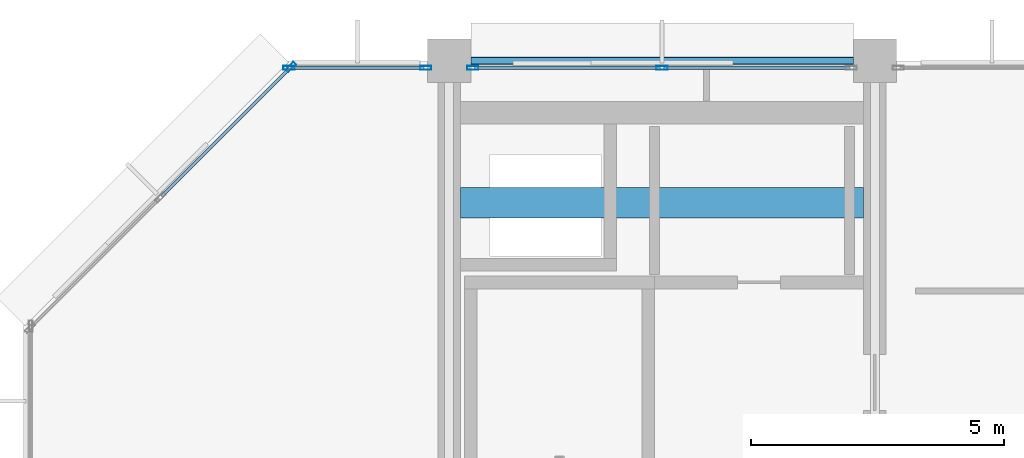
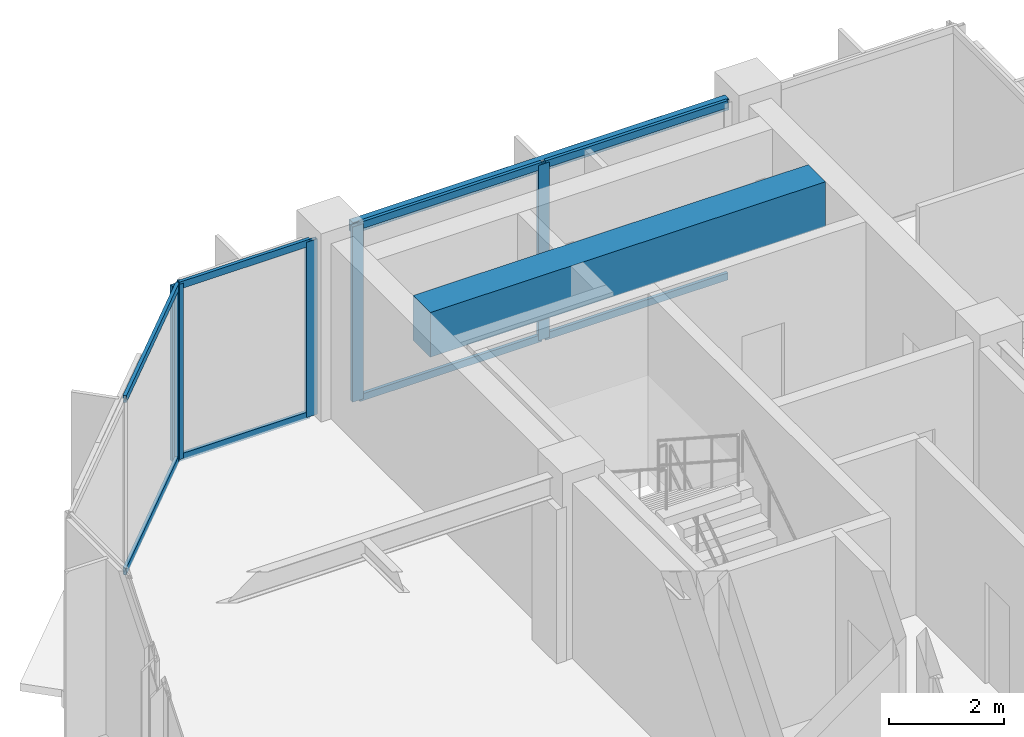
# One storey, part 14 of 23: 13 members, 2 beams, 3 elements without a shape of their own.
"""IFC4 building model written with IfcOpenShell, lengths in metres."""

from ifc_helpers import new_model, si_unit, direction, frame, origin, origin_2d, place, context, subcontext, project, spatial, rectangle, hollow_rectangle, extrude, material, layer, layer_set, material_profile, profile_set, type_object, element, aggregate, save


model = new_model("IFC4")

# Units and contexts
model_context = context("Model", 3, precision=1e-05, world=origin(), true_north=direction((0.0, 1.0)))
body_context = subcontext(model_context, "Body", "Model", "MODEL_VIEW")
ifc_project = project(units=[si_unit("LENGTHUNIT", "METRE"), si_unit("AREAUNIT", "SQUARE_METRE"), si_unit("VOLUMEUNIT", "CUBIC_METRE"), si_unit("PLANEANGLEUNIT", "RADIAN"), si_unit("MASSUNIT", "GRAM", prefix="KILO")], contexts=[model_context])

# Site, building, storey
site_placement = place(None, origin())
site = spatial("IfcSite", under=ifc_project, at=site_placement, CompositionType="ELEMENT")
building_placement = place(site_placement, origin())
building = spatial("IfcBuilding", under=site, at=building_placement, Name="Nerrivon Quay Data Exchange", CompositionType="ELEMENT")
storey_placement = place(building_placement, frame((0.0, 0.0, 286.199951171875)))
storey = spatial("IfcBuildingStorey", under=building, at=storey_placement, Name="L68", CompositionType="ELEMENT", Elevation=286.199951171875)

# Beams
ifc_material_1 = material(Name="Concrete N50 (50 MPa)", Category="concrete")
ifc_material_profile_1 = material_profile(ifc_material_1, rectangle(XDim=0.60009765625, YDim=0.949951171875, at=origin_2d()), Name="RC-CB-600x950")
ifc_profile_set_1 = profile_set([ifc_material_profile_1], Name="Concrete N50 (50 MPa)")
beam_type_1 = type_object("IfcBeamType", Name="BM-CB2-600x950", PredefinedType="LINTEL", material=ifc_profile_set_1)
beam_1_placement = place(storey_placement, frame((8.625, 39.199951171875, 3.25), z_axis=(1.0, 0.0, 0.0), x_axis=(0.0, 1.0, 0.0)))
element("IfcBeam", 1, at=beam_1_placement, inside=storey, type_object=beam_type_1, Name="L68 West Core Coupling Beam", PredefinedType="LINTEL", context=body_context, shape_type="SweptSolid", body=[
    extrude(rectangle(XDim=0.60009765625, YDim=0.949951171875, at=origin_2d()), origin(), (0.0, 0.0, 1.0), 7.949951171875),
])
ifc_material_2 = material(Name="Steel Grade C350L0 (350 MPa)", Category="steel")
ifc_material_profile_2 = material_profile(ifc_material_2, hollow_rectangle(XDim=0.14990234375, YDim=0.25, WallThickness=0.009033203125, InnerFilletRadius=0.013427734375, OuterFilletRadius=0.0224609375, at=origin_2d()), Name="250x150x9.0RHS")
ifc_profile_set_2 = profile_set([ifc_material_profile_2], Name="Steel Grade C350L0 (350 MPa)")
beam_type_2 = type_object("IfcBeamType", Name="BM-SP4-250x150RHS", PredefinedType="SPANDREL", material=ifc_profile_set_2)
beam_2_placement = place(storey_placement, frame((8.824951171875, 42.0, 3.60009765625), z_axis=(1.0, 0.0, 0.0), x_axis=(0.0, 1.0, 0.0)))
element("IfcBeam", 2, at=beam_2_placement, inside=storey, type_object=beam_type_2, Name="L68 EW Girder Y=42.0 (8.4..16.8)", PredefinedType="SPANDREL", context=body_context, shape_type="SweptSolid", body=[
    extrude(hollow_rectangle(XDim=0.14990234375, YDim=0.25, WallThickness=0.009033203125, InnerFilletRadius=0.013427734375, OuterFilletRadius=0.0224609375, at=origin_2d()), origin(), (0.0, 0.0, 1.0), 7.550048828125),
])

# Curtain wall, member
ifc_material_3 = material(Name="Anodised aluminium 6063-T6", Category="aluminium")
ifc_layer = layer(ifc_material_3, 0.22998046875)
ifc_layer_set = layer_set([ifc_layer], Name="Anodised aluminium 6063-T6")
curtain_wall_type = type_object("IfcCurtainWallType", Name="CW-SYS-05", PredefinedType="NOTDEFINED", material=ifc_layer_set)
curtain_wall_1_placement = place(storey_placement, origin())
curtain_wall_1 = element("IfcCurtainWall", 3, at=curtain_wall_1_placement, inside=storey, type_object=curtain_wall_type, Name="L68 Unitised Curtain Wall 15", PredefinedType="NOTDEFINED")
ifc_material_profile_3 = material_profile(ifc_material_3, hollow_rectangle(XDim=0.074951171875, YDim=0.219970703125, WallThickness=0.00390625, at=origin_2d()), Name="ALU-MULL-220x75")
ifc_profile_set_3 = profile_set([ifc_material_profile_3], Name="Anodised aluminium 6063-T6")
member_type_1 = type_object("IfcMemberType", Name="CWM-220x75", PredefinedType="MULLION", material=ifc_profile_set_3)
member_1_placement = place(storey_placement, frame((5.2724609375, 41.87451171875, 0.0), z_axis=(0.0, 0.0, 1.0), x_axis=(-0.707106781187, 0.707106781187, 0.0)))
member_1 = element("IfcMember", 4, at=member_1_placement, type_object=member_type_1, Name="CW05 mullion 3", PredefinedType="MULLION", context=body_context, shape_type="SweptSolid", body=[
    extrude(hollow_rectangle(XDim=0.074951171875, YDim=0.219970703125, WallThickness=0.00390625, at=origin_2d()), origin(), (0.0, 0.0, 1.0), 3.72509765625),
])

# Curtain wall, members
curtain_wall_2_placement = place(storey_placement, origin())
curtain_wall_2 = element("IfcCurtainWall", 5, at=curtain_wall_2_placement, inside=storey, type_object=curtain_wall_type, Name="L68 Unitised Curtain Wall 16", PredefinedType="NOTDEFINED")
member_2_placement = place(storey_placement, frame((5.237548828125, 41.860107421875, 0.0), z_axis=(0.0, 0.0, 1.0), x_axis=(0.0, 1.0, 0.0)))
member_2 = element("IfcMember", 6, at=member_2_placement, type_object=member_type_1, Name="CW05 mullion 1", PredefinedType="MULLION", context=body_context, shape_type="SweptSolid", body=[
    extrude(hollow_rectangle(XDim=0.074951171875, YDim=0.219970703125, WallThickness=0.00390625, at=origin_2d()), origin(), (0.0, 0.0, 1.0), 3.72509765625),
])
member_3_placement = place(storey_placement, frame((7.9375, 41.860107421875, 0.0), z_axis=(0.0, 0.0, 1.0), x_axis=(0.0, 1.0, 0.0)))
member_3 = element("IfcMember", 7, at=member_3_placement, type_object=member_type_1, Name="CW05 mullion 2", PredefinedType="MULLION", context=body_context, shape_type="SweptSolid", body=[
    extrude(hollow_rectangle(XDim=0.074951171875, YDim=0.219970703125, WallThickness=0.00390625, at=origin_2d()), origin(), (0.0, 0.0, 1.0), 3.72509765625),
])

curtain_wall_3_placement = place(storey_placement, origin())
curtain_wall_3 = element("IfcCurtainWall", 8, at=curtain_wall_3_placement, inside=storey, type_object=curtain_wall_type, Name="L68 Unitised Curtain Wall 17", PredefinedType="NOTDEFINED")
member_4_placement = place(storey_placement, frame((8.862548828125, 41.860107421875, 0.0), z_axis=(0.0, 0.0, 1.0), x_axis=(0.0, 1.0, 0.0)))
member_4 = element("IfcMember", 9, at=member_4_placement, type_object=member_type_1, Name="CW05 mullion 1", PredefinedType="MULLION", context=body_context, shape_type="SweptSolid", body=[
    extrude(hollow_rectangle(XDim=0.074951171875, YDim=0.219970703125, WallThickness=0.00390625, at=origin_2d()), origin(), (0.0, 0.0, 1.0), 3.72509765625),
])
member_5_placement = place(storey_placement, frame((12.60009765625, 41.860107421875, 0.0), z_axis=(0.0, 0.0, 1.0), x_axis=(0.0, 1.0, 0.0)))
member_5 = element("IfcMember", 10, at=member_5_placement, type_object=member_type_1, Name="CW05 mullion 2", PredefinedType="MULLION", context=body_context, shape_type="SweptSolid", body=[
    extrude(hollow_rectangle(XDim=0.074951171875, YDim=0.219970703125, WallThickness=0.00390625, at=origin_2d()), origin(), (0.0, 0.0, 1.0), 3.72509765625),
])

# Member
ifc_material_profile_4 = material_profile(ifc_material_3, hollow_rectangle(XDim=0.06494140625, YDim=0.14990234375, WallThickness=0.00341796875, at=origin_2d()), Name="ALU-TRAN-150x65")
ifc_profile_set_4 = profile_set([ifc_material_profile_4], Name="Anodised aluminium 6063-T6")
member_type_2 = type_object("IfcMemberType", Name="CWT-150x65", PredefinedType="USERDEFINED", material=ifc_profile_set_4)
member_6_placement = place(storey_placement, frame((2.7255859375, 39.32763671875, 0.032470703125), z_axis=(0.707106781187, 0.707106781187, 0.0), x_axis=(-0.707106781187, 0.707106781187, 0.0)))
member_6 = element("IfcMember", 11, at=member_6_placement, type_object=member_type_2, Name="CW05 transom 2.1", ObjectType="TRANSOM", PredefinedType="USERDEFINED", context=body_context, shape_type="SweptSolid", body=[
    extrude(hollow_rectangle(XDim=0.06494140625, YDim=0.14990234375, WallThickness=0.00341796875, at=origin_2d()), origin(), (0.0, 0.0, 1.0), 3.564208984375),
])

member_7_placement = place(storey_placement, frame((2.7255859375, 39.32763671875, 3.692626953125), z_axis=(0.707106781187, 0.707106781187, 0.0), x_axis=(-0.707106781187, 0.707106781187, 0.0)))
member_7 = element("IfcMember", 12, at=member_7_placement, type_object=member_type_2, Name="CW05 transom 2.2", ObjectType="TRANSOM", PredefinedType="USERDEFINED", context=body_context, shape_type="SweptSolid", body=[
    extrude(hollow_rectangle(XDim=0.06494140625, YDim=0.14990234375, WallThickness=0.00341796875, at=origin_2d()), origin(), (0.0, 0.0, 1.0), 3.564208984375),
])

aggregate(curtain_wall_1, [member_1, member_6, member_7])

member_8_placement = place(storey_placement, frame((5.27490234375, 41.860107421875, 0.032470703125), z_axis=(1.0, 0.0, 0.0), x_axis=(0.0, 1.0, 0.0)))
member_8 = element("IfcMember", 13, at=member_8_placement, type_object=member_type_2, Name="CW05 transom 1.1", ObjectType="TRANSOM", PredefinedType="USERDEFINED", context=body_context, shape_type="SweptSolid", body=[
    extrude(hollow_rectangle(XDim=0.06494140625, YDim=0.14990234375, WallThickness=0.00341796875, at=origin_2d()), origin(), (0.0, 0.0, 1.0), 2.625),
])

member_9_placement = place(storey_placement, frame((5.27490234375, 41.860107421875, 3.692626953125), z_axis=(1.0, 0.0, 0.0), x_axis=(0.0, 1.0, 0.0)))
member_9 = element("IfcMember", 14, at=member_9_placement, type_object=member_type_2, Name="CW05 transom 1.2", ObjectType="TRANSOM", PredefinedType="USERDEFINED", context=body_context, shape_type="SweptSolid", body=[
    extrude(hollow_rectangle(XDim=0.06494140625, YDim=0.14990234375, WallThickness=0.00341796875, at=origin_2d()), origin(), (0.0, 0.0, 1.0), 2.625),
])

aggregate(curtain_wall_2, [member_2, member_3, member_8, member_9])

member_10_placement = place(storey_placement, frame((8.89990234375, 41.860107421875, 0.032470703125), z_axis=(1.0, 0.0, 0.0), x_axis=(0.0, 1.0, 0.0)))
member_10 = element("IfcMember", 15, at=member_10_placement, type_object=member_type_2, Name="CW05 transom 1.1", ObjectType="TRANSOM", PredefinedType="USERDEFINED", context=body_context, shape_type="SweptSolid", body=[
    extrude(hollow_rectangle(XDim=0.06494140625, YDim=0.14990234375, WallThickness=0.00341796875, at=origin_2d()), origin(), (0.0, 0.0, 1.0), 3.66259765625),
])

member_11_placement = place(storey_placement, frame((8.89990234375, 41.860107421875, 3.692626953125), z_axis=(1.0, 0.0, 0.0), x_axis=(0.0, 1.0, 0.0)))
member_11 = element("IfcMember", 16, at=member_11_placement, type_object=member_type_2, Name="CW05 transom 1.2", ObjectType="TRANSOM", PredefinedType="USERDEFINED", context=body_context, shape_type="SweptSolid", body=[
    extrude(hollow_rectangle(XDim=0.06494140625, YDim=0.14990234375, WallThickness=0.00341796875, at=origin_2d()), origin(), (0.0, 0.0, 1.0), 3.66259765625),
])

member_12_placement = place(storey_placement, frame((12.637451171875, 41.860107421875, 0.032470703125), z_axis=(1.0, 0.0, 0.0), x_axis=(0.0, 1.0, 0.0)))
member_12 = element("IfcMember", 17, at=member_12_placement, type_object=member_type_2, Name="CW05 transom 2.1", ObjectType="TRANSOM", PredefinedType="USERDEFINED", context=body_context, shape_type="SweptSolid", body=[
    extrude(hollow_rectangle(XDim=0.06494140625, YDim=0.14990234375, WallThickness=0.00341796875, at=origin_2d()), origin(), (0.0, 0.0, 1.0), 3.66259765625),
])

member_13_placement = place(storey_placement, frame((12.637451171875, 41.860107421875, 3.692626953125), z_axis=(1.0, 0.0, 0.0), x_axis=(0.0, 1.0, 0.0)))
member_13 = element("IfcMember", 18, at=member_13_placement, type_object=member_type_2, Name="CW05 transom 2.2", ObjectType="TRANSOM", PredefinedType="USERDEFINED", context=body_context, shape_type="SweptSolid", body=[
    extrude(hollow_rectangle(XDim=0.06494140625, YDim=0.14990234375, WallThickness=0.00341796875, at=origin_2d()), origin(), (0.0, 0.0, 1.0), 3.66259765625),
])

aggregate(curtain_wall_3, [member_4, member_5, member_10, member_11, member_12, member_13])

save(model, "model.ifc")
